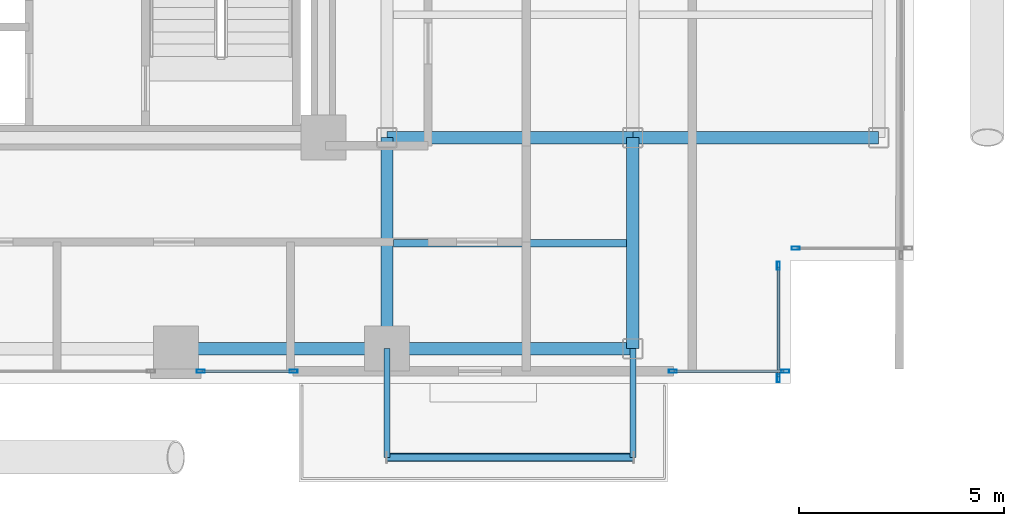
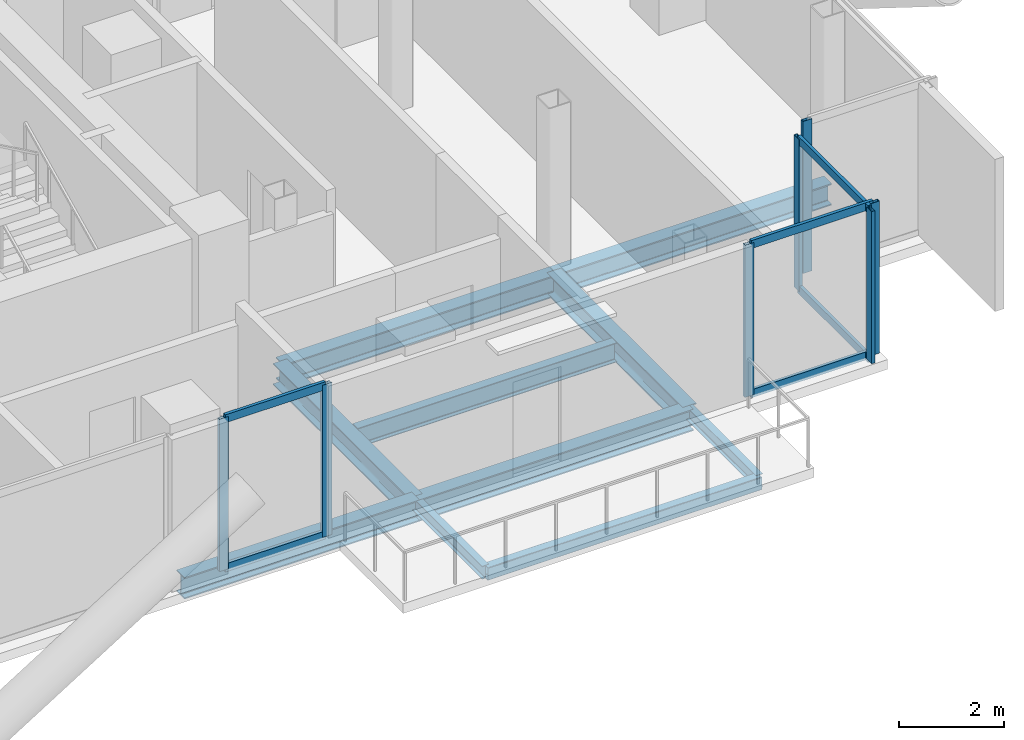
# One storey, part 10 of 28: 13 members, 10 beams, 4 elements without a shape of their own.
"""IFC4 building model written with IfcOpenShell, lengths in metres."""

from ifc_helpers import new_model, si_unit, direction, frame, origin, origin_2d, place, context, subcontext, project, spatial, hollow_rectangle, i_section, extrude, material, layer, layer_set, material_profile, profile_set, type_object, element, aggregate, save


model = new_model("IFC4")

# Units and contexts
model_context = context("Model", 3, precision=1e-05, world=origin(), true_north=direction((0.0, 1.0)))
body_context = subcontext(model_context, "Body", "Model", "MODEL_VIEW")
ifc_project = project(units=[si_unit("LENGTHUNIT", "METRE"), si_unit("AREAUNIT", "SQUARE_METRE"), si_unit("VOLUMEUNIT", "CUBIC_METRE"), si_unit("PLANEANGLEUNIT", "RADIAN"), si_unit("MASSUNIT", "GRAM", prefix="KILO"), si_unit("THERMODYNAMICTEMPERATUREUNIT", "KELVIN"), si_unit("POWERUNIT", "WATT")], contexts=[model_context])

# Site, building, storey
site_placement = place(None, origin())
site = spatial("IfcSite", under=ifc_project, at=site_placement, CompositionType="ELEMENT")
building_placement = place(site_placement, origin())
building = spatial("IfcBuilding", under=site, at=building_placement, Name="Svarakhadi Broadcast Tower", CompositionType="ELEMENT")
storey_placement = place(building_placement, frame((0.0, 0.0, 123.14990234375)))
storey = spatial("IfcBuildingStorey", under=building, at=storey_placement, Name="L29", CompositionType="ELEMENT", Elevation=123.14990234375)

# Beam
ifc_material_1 = material(Name="Steel S355J2 (IS 2062 E350C)", Category="steel")
ifc_material_profile_1 = material_profile(ifc_material_1, i_section(OverallWidth=0.18994140625, OverallDepth=0.449951171875, WebThickness=0.009521484375, FlangeThickness=0.0146484375, FilletRadius=0.02099609375, at=origin_2d()), Name="NPB 450x190x78")
ifc_profile_set_1 = profile_set([ifc_material_profile_1], Name="Steel S355J2 (IS 2062 E350C)")
beam_type_1 = type_object("IfcBeamType", Name="Beam_NPB450", PredefinedType="BEAM", material=ifc_profile_set_1)
beam_1_placement = place(storey_placement, frame((35.31005859375, 3.425048828125, -0.449951171875), z_axis=(1.0, 0.0, 0.0), x_axis=(0.0, 1.0, 0.0)))
element("IfcBeam", 1, at=beam_1_placement, inside=storey, type_object=beam_type_1, Name="L29 Secondary Composite Beam SB019", PredefinedType="BEAM", context=body_context, shape_type="SweptSolid", body=[
    extrude(i_section(OverallWidth=0.18994140625, OverallDepth=0.449951171875, WebThickness=0.009521484375, FlangeThickness=0.0146484375, FilletRadius=0.02099609375, at=origin_2d()), origin(), (0.0, 0.0, 1.0), 5.679931640625),
])

# Curtain wall, member
ifc_material_2 = material(Name="Anodised Bronze Aluminium AA 6063-T6", Category="aluminium")
ifc_layer = layer(ifc_material_2, 0.199951171875)
ifc_layer_set = layer_set([ifc_layer], Name="Anodised Bronze Aluminium AA 6063-T6")
curtain_wall_type = type_object("IfcCurtainWallType", Name="CW_Sys_03", PredefinedType="NOTDEFINED", material=ifc_layer_set)
curtain_wall_1_placement = place(storey_placement, origin())
curtain_wall_1 = element("IfcCurtainWall", 2, at=curtain_wall_1_placement, inside=storey, type_object=curtain_wall_type, Name="L29 Unitised Facade Curtain Wall 14", PredefinedType="NOTDEFINED")
ifc_material_profile_2 = material_profile(ifc_material_2, hollow_rectangle(XDim=0.074951171875, YDim=0.199951171875, WallThickness=0.005615234375, at=origin_2d()), Name="ALU MULLION 200x75x6")
ifc_profile_set_2 = profile_set([ifc_material_profile_2], Name="Anodised Bronze Aluminium AA 6063-T6")
member_type_1 = type_object("IfcMemberType", Name="CW_Sys_03_Mul", PredefinedType="MULLION", material=ifc_profile_set_2)
member_1_placement = place(storey_placement, frame((45.12744140625, 3.300048828125, 0.0), z_axis=(0.0, 0.0, 1.0), x_axis=(0.0, -1.0, 0.0)))
member_1 = element("IfcMember", 3, at=member_1_placement, type_object=member_type_1, Name="CW-03 mullion 2", PredefinedType="MULLION", context=body_context, shape_type="SweptSolid", body=[
    extrude(hollow_rectangle(XDim=0.074951171875, YDim=0.199951171875, WallThickness=0.005615234375, at=origin_2d()), origin(), (0.0, 0.0, 1.0), 3.525146484375),
])
aggregate(curtain_wall_1, [member_1])

# Curtain wall, members
curtain_wall_2_placement = place(storey_placement, origin())
curtain_wall_2 = element("IfcCurtainWall", 4, at=curtain_wall_2_placement, inside=storey, type_object=curtain_wall_type, Name="L29 Unitised Facade Curtain Wall 15", PredefinedType="NOTDEFINED")
member_2_placement = place(storey_placement, frame((44.699951171875, 2.87255859375, 0.0), z_axis=(0.0, 0.0, 1.0), x_axis=(1.0, 0.0, 0.0)))
member_2 = element("IfcMember", 5, at=member_2_placement, type_object=member_type_1, Name="CW-03 mullion 1", PredefinedType="MULLION", context=body_context, shape_type="SweptSolid", body=[
    extrude(hollow_rectangle(XDim=0.074951171875, YDim=0.199951171875, WallThickness=0.005615234375, at=origin_2d()), origin(), (0.0, 0.0, 1.0), 3.525146484375),
])
member_3_placement = place(storey_placement, frame((44.699951171875, 0.12744140625, 0.0), z_axis=(0.0, 0.0, 1.0), x_axis=(1.0, 0.0, 0.0)))
member_3 = element("IfcMember", 6, at=member_3_placement, type_object=member_type_1, Name="CW-03 mullion 2", PredefinedType="MULLION", context=body_context, shape_type="SweptSolid", body=[
    extrude(hollow_rectangle(XDim=0.074951171875, YDim=0.199951171875, WallThickness=0.005615234375, at=origin_2d()), origin(), (0.0, 0.0, 1.0), 3.525146484375),
])

curtain_wall_3_placement = place(storey_placement, origin())
curtain_wall_3 = element("IfcCurtainWall", 7, at=curtain_wall_3_placement, inside=storey, type_object=curtain_wall_type, Name="L29 South Curtain Wall 16", PredefinedType="NOTDEFINED")
member_4_placement = place(storey_placement, frame((44.87255859375, 0.300048828125, 0.0), z_axis=(0.0, 0.0, 1.0), x_axis=(0.0, -1.0, 0.0)))
member_4 = element("IfcMember", 8, at=member_4_placement, type_object=member_type_1, Name="CW-03 mullion 1", PredefinedType="MULLION", context=body_context, shape_type="SweptSolid", body=[
    extrude(hollow_rectangle(XDim=0.074951171875, YDim=0.199951171875, WallThickness=0.005615234375, at=origin_2d()), origin(), (0.0, 0.0, 1.0), 3.525146484375),
])
member_5_placement = place(storey_placement, frame((42.12744140625, 0.300048828125, 0.0), z_axis=(0.0, 0.0, 1.0), x_axis=(0.0, -1.0, 0.0)))
member_5 = element("IfcMember", 9, at=member_5_placement, type_object=member_type_1, Name="CW-03 mullion 2", PredefinedType="MULLION", context=body_context, shape_type="SweptSolid", body=[
    extrude(hollow_rectangle(XDim=0.074951171875, YDim=0.199951171875, WallThickness=0.005615234375, at=origin_2d()), origin(), (0.0, 0.0, 1.0), 3.525146484375),
])

curtain_wall_4_placement = place(storey_placement, origin())
curtain_wall_4 = element("IfcCurtainWall", 10, at=curtain_wall_4_placement, inside=storey, type_object=curtain_wall_type, Name="L29 South Curtain Wall 17 Bay 1", PredefinedType="NOTDEFINED")
member_6_placement = place(storey_placement, frame((32.87255859375, 0.300048828125, 0.0), z_axis=(0.0, 0.0, 1.0), x_axis=(0.0, -1.0, 0.0)))
member_6 = element("IfcMember", 11, at=member_6_placement, type_object=member_type_1, Name="CW-03 mullion 1", PredefinedType="MULLION", context=body_context, shape_type="SweptSolid", body=[
    extrude(hollow_rectangle(XDim=0.074951171875, YDim=0.199951171875, WallThickness=0.005615234375, at=origin_2d()), origin(), (0.0, 0.0, 1.0), 3.525146484375),
])
member_7_placement = place(storey_placement, frame((30.607421875, 0.300048828125, 0.0), z_axis=(0.0, 0.0, 1.0), x_axis=(0.0, -1.0, 0.0)))
member_7 = element("IfcMember", 12, at=member_7_placement, type_object=member_type_1, Name="CW-03 mullion 2", PredefinedType="MULLION", context=body_context, shape_type="SweptSolid", body=[
    extrude(hollow_rectangle(XDim=0.074951171875, YDim=0.199951171875, WallThickness=0.005615234375, at=origin_2d()), origin(), (0.0, 0.0, 1.0), 3.525146484375),
])

# Member
ifc_material_profile_3 = material_profile(ifc_material_2, hollow_rectangle(XDim=0.070068359375, YDim=0.18505859375, WallThickness=0.0048828125, at=origin_2d()), Name="ALU TRANSOM 185x70x5")
ifc_profile_set_3 = profile_set([ifc_material_profile_3], Name="Anodised Bronze Aluminium AA 6063-T6")
member_type_2 = type_object("IfcMemberType", Name="CW_Sys_03_Trn", PredefinedType="USERDEFINED", material=ifc_profile_set_3)
member_8_placement = place(storey_placement, frame((44.699951171875, 2.8349609375, 0.03515625), z_axis=(0.0, -1.0, 0.0), x_axis=(1.0, 0.0, 0.0)))
member_8 = element("IfcMember", 13, at=member_8_placement, type_object=member_type_2, Name="CW-03 transom 1.1", ObjectType="TRANSOM", PredefinedType="USERDEFINED", context=body_context, shape_type="SweptSolid", body=[
    extrude(hollow_rectangle(XDim=0.070068359375, YDim=0.18505859375, WallThickness=0.0048828125, at=origin_2d()), origin(), (0.0, 0.0, 1.0), 2.669921875),
])

member_9_placement = place(storey_placement, frame((44.699951171875, 2.8349609375, 3.489990234375), z_axis=(0.0, -1.0, 0.0), x_axis=(1.0, 0.0, 0.0)))
member_9 = element("IfcMember", 14, at=member_9_placement, type_object=member_type_2, Name="CW-03 transom 1.2", ObjectType="TRANSOM", PredefinedType="USERDEFINED", context=body_context, shape_type="SweptSolid", body=[
    extrude(hollow_rectangle(XDim=0.070068359375, YDim=0.18505859375, WallThickness=0.0048828125, at=origin_2d()), origin(), (0.0, 0.0, 1.0), 2.669921875),
])

aggregate(curtain_wall_2, [member_2, member_3, member_8, member_9])

member_10_placement = place(storey_placement, frame((44.8349609375, 0.300048828125, 0.03515625), z_axis=(-1.0, 0.0, 0.0), x_axis=(0.0, -1.0, 0.0)))
member_10 = element("IfcMember", 15, at=member_10_placement, type_object=member_type_2, Name="CW-03 transom 1.1", ObjectType="TRANSOM", PredefinedType="USERDEFINED", context=body_context, shape_type="SweptSolid", body=[
    extrude(hollow_rectangle(XDim=0.070068359375, YDim=0.18505859375, WallThickness=0.0048828125, at=origin_2d()), origin(), (0.0, 0.0, 1.0), 2.669921875),
])

member_11_placement = place(storey_placement, frame((44.8349609375, 0.300048828125, 3.489990234375), z_axis=(-1.0, 0.0, 0.0), x_axis=(0.0, -1.0, 0.0)))
member_11 = element("IfcMember", 16, at=member_11_placement, type_object=member_type_2, Name="CW-03 transom 1.2", ObjectType="TRANSOM", PredefinedType="USERDEFINED", context=body_context, shape_type="SweptSolid", body=[
    extrude(hollow_rectangle(XDim=0.070068359375, YDim=0.18505859375, WallThickness=0.0048828125, at=origin_2d()), origin(), (0.0, 0.0, 1.0), 2.669921875),
])

aggregate(curtain_wall_3, [member_4, member_5, member_10, member_11])

member_12_placement = place(storey_placement, frame((32.8349609375, 0.300048828125, 0.03515625), z_axis=(-1.0, 0.0, 0.0), x_axis=(0.0, -1.0, 0.0)))
member_12 = element("IfcMember", 17, at=member_12_placement, type_object=member_type_2, Name="CW-03 transom 1.1", ObjectType="TRANSOM", PredefinedType="USERDEFINED", context=body_context, shape_type="SweptSolid", body=[
    extrude(hollow_rectangle(XDim=0.070068359375, YDim=0.18505859375, WallThickness=0.0048828125, at=origin_2d()), origin(), (0.0, 0.0, 1.0), 2.18994140625),
])

member_13_placement = place(storey_placement, frame((32.8349609375, 0.300048828125, 3.489990234375), z_axis=(-1.0, 0.0, 0.0), x_axis=(0.0, -1.0, 0.0)))
member_13 = element("IfcMember", 18, at=member_13_placement, type_object=member_type_2, Name="CW-03 transom 1.2", ObjectType="TRANSOM", PredefinedType="USERDEFINED", context=body_context, shape_type="SweptSolid", body=[
    extrude(hollow_rectangle(XDim=0.070068359375, YDim=0.18505859375, WallThickness=0.0048828125, at=origin_2d()), origin(), (0.0, 0.0, 1.0), 2.18994140625),
])

aggregate(curtain_wall_4, [member_6, member_7, member_12, member_13])

# Beams
ifc_material_profile_4 = material_profile(ifc_material_1, i_section(OverallWidth=0.300048828125, OverallDepth=0.5, WebThickness=0.014404296875, FlangeThickness=0.028076171875, FilletRadius=0.027099609375, at=origin_2d()), Name="WPB 500x300x187")
ifc_profile_set_4 = profile_set([ifc_material_profile_4], Name="Steel S355J2 (IS 2062 E350C)")
beam_type_2 = type_object("IfcBeamType", Name="Girder_WPB500", PredefinedType="USERDEFINED", material=ifc_profile_set_4)
beam_2_placement = place(storey_placement, frame((30.0, 0.85009765625, -0.474853515625), z_axis=(1.0, 0.0, 0.0), x_axis=(0.0, 1.0, 0.0)))
element("IfcBeam", 19, at=beam_2_placement, inside=storey, type_object=beam_type_2, Name="L29 Primary E-W Girder G008", ObjectType="GIRDER", PredefinedType="USERDEFINED", context=body_context, shape_type="SweptSolid", body=[
    extrude(i_section(OverallWidth=0.300048828125, OverallDepth=0.5, WebThickness=0.014404296875, FlangeThickness=0.028076171875, FilletRadius=0.027099609375, at=origin_2d()), origin(), (0.0, 0.0, 1.0), 5.14990234375),
])
for number, where, z_axis, x_axis, name in (
    (20, (35.14990234375, 0.85009765625, -0.474853515625), (1.0, 0.0, 0.0), (0.0, 1.0, 0.0), "L29 Primary E-W Girder G009"),
    (21, (35.14990234375, 6.0, -0.474853515625), (1.0, 0.0, 0.0), (0.0, 1.0, 0.0), "L29 Primary E-W Girder G015"),
    (22, (41.14990234375, 6.0, -0.474853515625), (1.0, 0.0, 0.0), (0.0, 1.0, 0.0), "L29 Primary E-W Girder G016"),
):
    element("IfcBeam", number, at=place(storey_placement, frame(where, z_axis=z_axis, x_axis=x_axis)), inside=storey, type_object=beam_type_2, Name=name, ObjectType="GIRDER", PredefinedType="USERDEFINED", context=body_context, shape_type="SweptSolid", body=[
        extrude(i_section(OverallWidth=0.300048828125, OverallDepth=0.5, WebThickness=0.014404296875, FlangeThickness=0.028076171875, FilletRadius=0.027099609375, at=origin_2d()), origin(), (0.0, 0.0, 1.0), 6.0),
    ])
for number, where, z_axis, x_axis, name in (
    (23, (35.14990234375, 0.85009765625, -0.474853515625), (0.0, 1.0, 0.0), (-1.0, 0.0, 0.0), "L29 Primary N-S Girder G067"),
    (24, (41.14990234375, 0.85009765625, -0.474853515625), (0.0, 1.0, 0.0), (-1.0, 0.0, 0.0), "L29 Primary N-S Girder G070"),
):
    element("IfcBeam", number, at=place(storey_placement, frame(where, z_axis=z_axis, x_axis=x_axis)), inside=storey, type_object=beam_type_2, Name=name, ObjectType="GIRDER", PredefinedType="USERDEFINED", context=body_context, shape_type="SweptSolid", body=[
        extrude(i_section(OverallWidth=0.300048828125, OverallDepth=0.5, WebThickness=0.014404296875, FlangeThickness=0.028076171875, FilletRadius=0.027099609375, at=origin_2d()), origin(), (0.0, 0.0, 1.0), 5.14990234375),
    ])
ifc_material_profile_5 = material_profile(ifc_material_1, i_section(OverallWidth=0.14990234375, OverallDepth=0.300048828125, WebThickness=0.007080078125, FlangeThickness=0.0107421875, FilletRadius=0.014892578125, at=origin_2d()), Name="NPB 300x150x37")
ifc_profile_set_5 = profile_set([ifc_material_profile_5], Name="Steel S355J2 (IS 2062 E350C)")
beam_type_3 = type_object("IfcBeamType", Name="Spandrel_NPB300", PredefinedType="SPANDREL", material=ifc_profile_set_5)
for number, where, z_axis, x_axis, name in (
    (25, (35.14990234375, 0.85009765625, -0.375), (0.0, -1.0, 0.0), (1.0, 0.0, 0.0), "L29 Balcony Cantilever Bracket 1A"),
    (26, (41.14990234375, 0.85009765625, -0.375), (0.0, -1.0, 0.0), (1.0, 0.0, 0.0), "L29 Balcony Cantilever Bracket 1B"),
):
    element("IfcBeam", number, at=place(storey_placement, frame(where, z_axis=z_axis, x_axis=x_axis)), inside=storey, type_object=beam_type_3, Name=name, PredefinedType="SPANDREL", context=body_context, shape_type="SweptSolid", body=[
        extrude(i_section(OverallWidth=0.14990234375, OverallDepth=0.300048828125, WebThickness=0.007080078125, FlangeThickness=0.0107421875, FilletRadius=0.014892578125, at=origin_2d()), origin(), (0.0, 0.0, 1.0), 2.650146484375),
    ])
ifc_material_3 = material(Name="Steel S460ML (IS 2062 E450BR)", Category="steel")
ifc_material_profile_6 = material_profile(ifc_material_3, hollow_rectangle(XDim=0.199951171875, YDim=0.300048828125, WallThickness=0.012451171875, InnerFilletRadius=0.012451171875, OuterFilletRadius=0.02490234375, at=origin_2d()), Name="RHS 300x200x12.5")
ifc_profile_set_6 = profile_set([ifc_material_profile_6], Name="Steel S460ML (IS 2062 E450BR)")
beam_type_4 = type_object("IfcBeamType", Name="Spandrel_RHS300", PredefinedType="SPANDREL", material=ifc_profile_set_6)
beam_3_placement = place(storey_placement, frame((35.14990234375, -1.800048828125, -0.375), z_axis=(1.0, 0.0, 0.0), x_axis=(0.0, 1.0, 0.0)))
element("IfcBeam", 27, at=beam_3_placement, inside=storey, type_object=beam_type_4, Name="L29 Balcony Outer Spandrel 1F", PredefinedType="SPANDREL", context=body_context, shape_type="SweptSolid", body=[
    extrude(hollow_rectangle(XDim=0.199951171875, YDim=0.300048828125, WallThickness=0.012451171875, InnerFilletRadius=0.012451171875, OuterFilletRadius=0.02490234375, at=origin_2d()), origin(), (0.0, 0.0, 1.0), 6.0),
])

save(model, "model.ifc")
